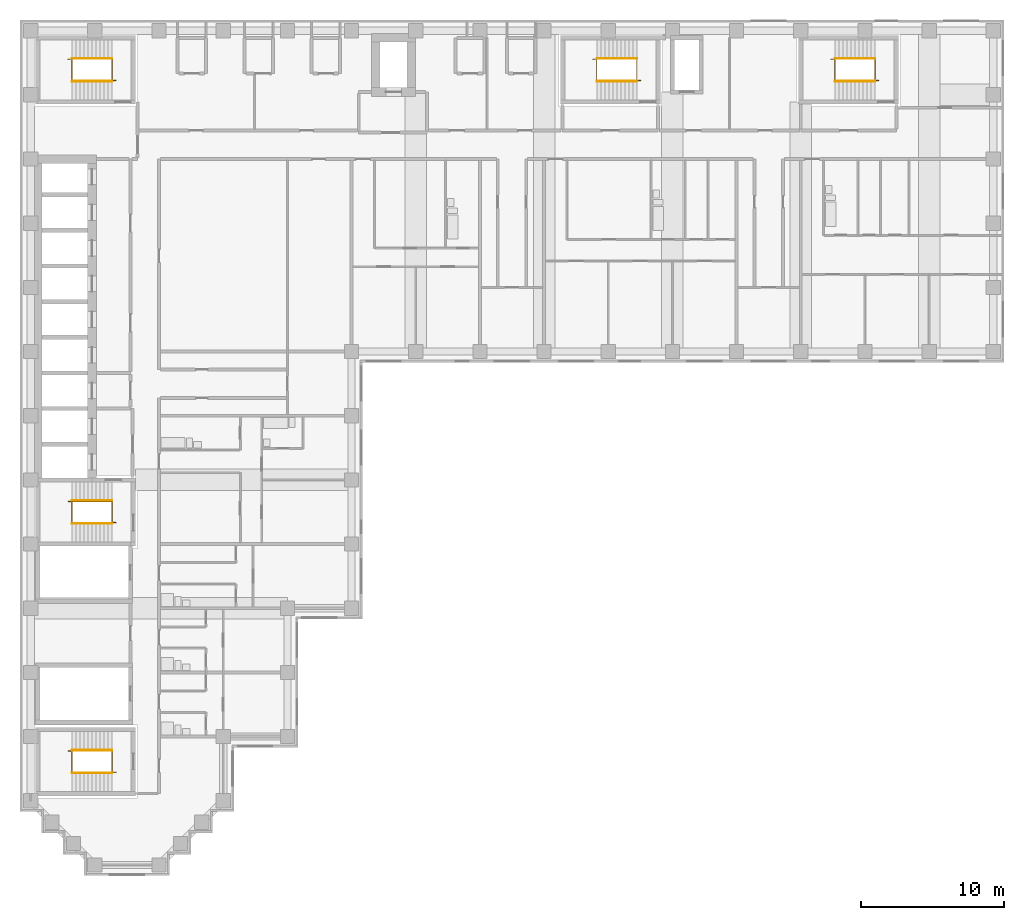
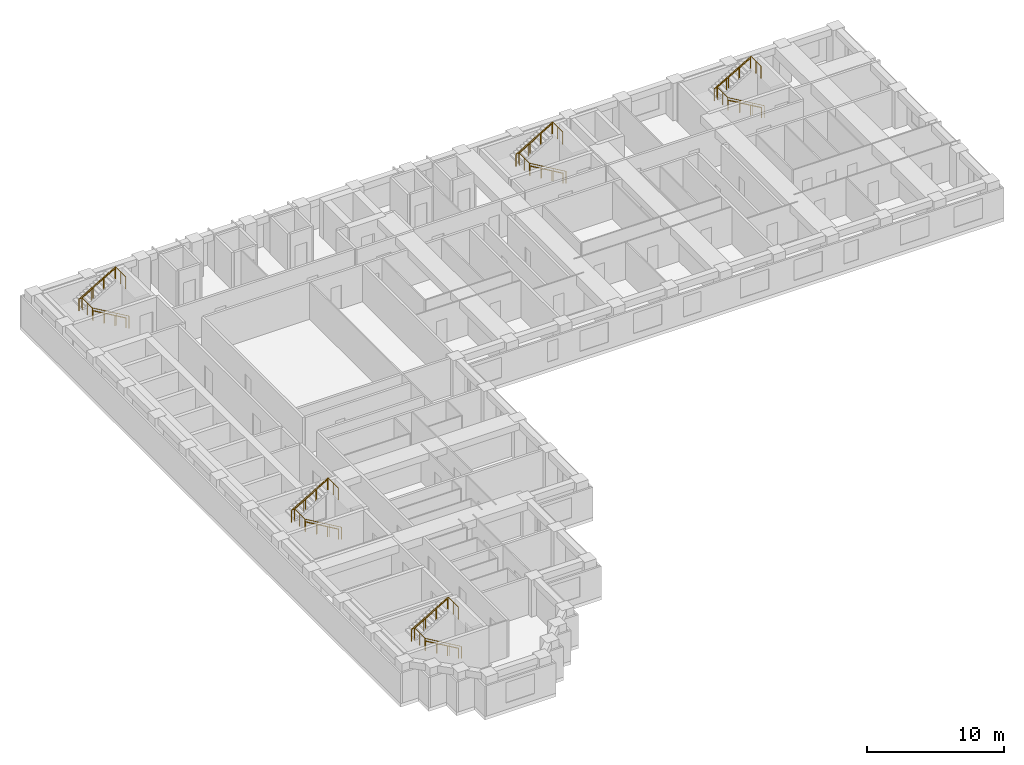
# One storey, part 11 of 12: 15 railings.
"""IFC4 building model written with IfcOpenShell, lengths in metres."""

from ifc_helpers import new_model, si_unit, direction, frame, origin, origin_2d, place, context, subcontext, project, spatial, circle, extrude, material, type_object, element, save


model = new_model("IFC4")

# Units and contexts
model_context = context("Model", 3, precision=1e-05, world=origin(), true_north=direction((0.0, 1.0)))
body_context = subcontext(model_context, "Body", "Model", "MODEL_VIEW")
ifc_project = project(units=[si_unit("LENGTHUNIT", "METRE"), si_unit("AREAUNIT", "SQUARE_METRE"), si_unit("VOLUMEUNIT", "CUBIC_METRE"), si_unit("PLANEANGLEUNIT", "RADIAN"), si_unit("MASSUNIT", "GRAM", prefix="KILO")], contexts=[model_context])

# Site, building, storey
site_placement = place(None, origin())
site = spatial("IfcSite", under=ifc_project, at=site_placement, CompositionType="ELEMENT")
building_placement = place(site_placement, origin())
building = spatial("IfcBuilding", under=site, at=building_placement, Name="Firuza Court", CompositionType="ELEMENT")
storey_placement = place(building_placement, frame((0.0, 0.0, 148.39990234375)))
storey = spatial("IfcBuildingStorey", under=building, at=storey_placement, Name="L37", CompositionType="ELEMENT", Elevation=148.39990234375)

# Railings
ifc_material_1 = material(Name="Steel S355", Category="steel")
railing_type_1 = type_object("IfcRailingType", Name="Handrail 900", PredefinedType="HANDRAIL", material=ifc_material_1)
railing_1_placement = place(storey_placement, frame((42.5, 54.949951171875, 0.163818359375)))
element("IfcRailing", 1, at=railing_1_placement, inside=storey, type_object=railing_type_1, Name="Handrail S1 flight 1", PredefinedType="HANDRAIL", context=body_context, shape_type="SweptSolid", body=[
    extrude(circle(Radius=0.02490234375, at=origin_2d()), frame((0.0, 0.0, 0.875), z_axis=(-0.863393664356, 0.0, 0.504530851732), x_axis=(0.0, -1.0, 0.0)), (0.0, 0.0, 1.0), 3.2431640625),
    extrude(circle(Radius=0.02001953125, at=origin_2d()), origin(), (0.0, 0.0, 1.0), 0.849853515625),
    extrude(circle(Radius=0.02001953125, at=origin_2d()), frame((-0.933349609375, 0.0, 0.54541015625)), (0.0, 0.0, 1.0), 0.849853515625),
    extrude(circle(Radius=0.02001953125, at=origin_2d()), frame((-1.86669921875, 0.0, 1.0908203125)), (0.0, 0.0, 1.0), 0.849853515625),
    extrude(circle(Radius=0.02001953125, at=origin_2d()), frame((-2.800048828125, 0.0, 1.63623046875)), (0.0, 0.0, 1.0), 0.849853515625),
])
railing_2_placement = place(storey_placement, frame((39.699951171875, 56.550048828125, 1.963623046875)))
element("IfcRailing", 2, at=railing_2_placement, inside=storey, type_object=railing_type_1, Name="Handrail S1 flight 2", PredefinedType="HANDRAIL", context=body_context, shape_type="SweptSolid", body=[
    extrude(circle(Radius=0.02490234375, at=origin_2d()), frame((0.0, 0.0, 0.875), z_axis=(0.863360870873, 0.0, 0.504586966384), x_axis=(0.0, 1.0, 0.0)), (0.0, 0.0, 1.0), 3.2431640625),
    extrude(circle(Radius=0.02001953125, at=origin_2d()), origin(), (0.0, 0.0, 1.0), 0.849853515625),
    extrude(circle(Radius=0.02001953125, at=origin_2d()), frame((0.933349609375, 0.0, 0.54541015625)), (0.0, 0.0, 1.0), 0.849853515625),
    extrude(circle(Radius=0.02001953125, at=origin_2d()), frame((1.86669921875, 0.0, 1.091064453125)), (0.0, 0.0, 1.0), 0.849853515625),
    extrude(circle(Radius=0.02001953125, at=origin_2d()), frame((2.800048828125, 0.0, 1.636474609375)), (0.0, 0.0, 1.0), 0.849853515625),
])
railing_3_placement = place(storey_placement, frame((5.699951171875, 23.949951171875, 0.163818359375)))
element("IfcRailing", 3, at=railing_3_placement, inside=storey, type_object=railing_type_1, Name="Handrail S2 flight 1", PredefinedType="HANDRAIL", context=body_context, shape_type="SweptSolid", body=[
    extrude(circle(Radius=0.02490234375, at=origin_2d()), frame((0.0, 0.0, 0.875), z_axis=(-0.863393664356, 0.0, 0.504530851732), x_axis=(0.0, -1.0, 0.0)), (0.0, 0.0, 1.0), 3.2431640625),
    extrude(circle(Radius=0.02001953125, at=origin_2d()), origin(), (0.0, 0.0, 1.0), 0.849853515625),
    extrude(circle(Radius=0.02001953125, at=origin_2d()), frame((-0.933349609375, 0.0, 0.54541015625)), (0.0, 0.0, 1.0), 0.849853515625),
    extrude(circle(Radius=0.02001953125, at=origin_2d()), frame((-1.86669921875, 0.0, 1.0908203125)), (0.0, 0.0, 1.0), 0.849853515625),
    extrude(circle(Radius=0.02001953125, at=origin_2d()), frame((-2.800048828125, 0.0, 1.63623046875)), (0.0, 0.0, 1.0), 0.849853515625),
])
railing_4_placement = place(storey_placement, frame((2.89990234375, 25.550048828125, 1.963623046875)))
element("IfcRailing", 4, at=railing_4_placement, inside=storey, type_object=railing_type_1, Name="Handrail S2 flight 2", PredefinedType="HANDRAIL", context=body_context, shape_type="SweptSolid", body=[
    extrude(circle(Radius=0.02490234375, at=origin_2d()), frame((0.0, 0.0, 0.875), z_axis=(0.863360870873, 0.0, 0.504586966384), x_axis=(0.0, 1.0, 0.0)), (0.0, 0.0, 1.0), 3.2431640625),
    extrude(circle(Radius=0.02001953125, at=origin_2d()), origin(), (0.0, 0.0, 1.0), 0.849853515625),
    extrude(circle(Radius=0.02001953125, at=origin_2d()), frame((0.933349609375, 0.0, 0.54541015625)), (0.0, 0.0, 1.0), 0.849853515625),
    extrude(circle(Radius=0.02001953125, at=origin_2d()), frame((1.86669921875, 0.0, 1.091064453125)), (0.0, 0.0, 1.0), 0.849853515625),
    extrude(circle(Radius=0.02001953125, at=origin_2d()), frame((2.800048828125, 0.0, 1.636474609375)), (0.0, 0.0, 1.0), 0.849853515625),
])
railing_5_placement = place(storey_placement, frame((5.699951171875, 54.949951171875, 0.163818359375)))
element("IfcRailing", 5, at=railing_5_placement, inside=storey, type_object=railing_type_1, Name="Handrail S3 flight 1", PredefinedType="HANDRAIL", context=body_context, shape_type="SweptSolid", body=[
    extrude(circle(Radius=0.02490234375, at=origin_2d()), frame((0.0, 0.0, 0.875), z_axis=(-0.863393664356, 0.0, 0.504530851732), x_axis=(0.0, -1.0, 0.0)), (0.0, 0.0, 1.0), 3.2431640625),
    extrude(circle(Radius=0.02001953125, at=origin_2d()), origin(), (0.0, 0.0, 1.0), 0.849853515625),
    extrude(circle(Radius=0.02001953125, at=origin_2d()), frame((-0.933349609375, 0.0, 0.54541015625)), (0.0, 0.0, 1.0), 0.849853515625),
    extrude(circle(Radius=0.02001953125, at=origin_2d()), frame((-1.86669921875, 0.0, 1.0908203125)), (0.0, 0.0, 1.0), 0.849853515625),
    extrude(circle(Radius=0.02001953125, at=origin_2d()), frame((-2.800048828125, 0.0, 1.63623046875)), (0.0, 0.0, 1.0), 0.849853515625),
])
railing_6_placement = place(storey_placement, frame((2.89990234375, 56.550048828125, 1.963623046875)))
element("IfcRailing", 6, at=railing_6_placement, inside=storey, type_object=railing_type_1, Name="Handrail S3 flight 2", PredefinedType="HANDRAIL", context=body_context, shape_type="SweptSolid", body=[
    extrude(circle(Radius=0.02490234375, at=origin_2d()), frame((0.0, 0.0, 0.875), z_axis=(0.863360870873, 0.0, 0.504586966384), x_axis=(0.0, 1.0, 0.0)), (0.0, 0.0, 1.0), 3.2431640625),
    extrude(circle(Radius=0.02001953125, at=origin_2d()), origin(), (0.0, 0.0, 1.0), 0.849853515625),
    extrude(circle(Radius=0.02001953125, at=origin_2d()), frame((0.933349609375, 0.0, 0.54541015625)), (0.0, 0.0, 1.0), 0.849853515625),
    extrude(circle(Radius=0.02001953125, at=origin_2d()), frame((1.86669921875, 0.0, 1.091064453125)), (0.0, 0.0, 1.0), 0.849853515625),
    extrude(circle(Radius=0.02001953125, at=origin_2d()), frame((2.800048828125, 0.0, 1.636474609375)), (0.0, 0.0, 1.0), 0.849853515625),
])
railing_7_placement = place(storey_placement, frame((59.199951171875, 54.949951171875, 0.163818359375)))
element("IfcRailing", 7, at=railing_7_placement, inside=storey, type_object=railing_type_1, Name="Handrail S4 flight 1", PredefinedType="HANDRAIL", context=body_context, shape_type="SweptSolid", body=[
    extrude(circle(Radius=0.02490234375, at=origin_2d()), frame((0.0, 0.0, 0.875), z_axis=(-0.863393664356, 0.0, 0.504530851732), x_axis=(0.0, -1.0, 0.0)), (0.0, 0.0, 1.0), 3.2431640625),
    extrude(circle(Radius=0.02001953125, at=origin_2d()), origin(), (0.0, 0.0, 1.0), 0.849853515625),
    extrude(circle(Radius=0.02001953125, at=origin_2d()), frame((-0.933349609375, 0.0, 0.54541015625)), (0.0, 0.0, 1.0), 0.849853515625),
    extrude(circle(Radius=0.02001953125, at=origin_2d()), frame((-1.86669921875, 0.0, 1.0908203125)), (0.0, 0.0, 1.0), 0.849853515625),
    extrude(circle(Radius=0.02001953125, at=origin_2d()), frame((-2.800048828125, 0.0, 1.63623046875)), (0.0, 0.0, 1.0), 0.849853515625),
])
railing_8_placement = place(storey_placement, frame((56.39990234375, 56.550048828125, 1.963623046875)))
element("IfcRailing", 8, at=railing_8_placement, inside=storey, type_object=railing_type_1, Name="Handrail S4 flight 2", PredefinedType="HANDRAIL", context=body_context, shape_type="SweptSolid", body=[
    extrude(circle(Radius=0.02490234375, at=origin_2d()), frame((0.0, 0.0, 0.875), z_axis=(0.863360870873, 0.0, 0.504586966384), x_axis=(0.0, 1.0, 0.0)), (0.0, 0.0, 1.0), 3.2431640625),
    extrude(circle(Radius=0.02001953125, at=origin_2d()), origin(), (0.0, 0.0, 1.0), 0.849853515625),
    extrude(circle(Radius=0.02001953125, at=origin_2d()), frame((0.933349609375, 0.0, 0.54541015625)), (0.0, 0.0, 1.0), 0.849853515625),
    extrude(circle(Radius=0.02001953125, at=origin_2d()), frame((1.86669921875, 0.0, 1.091064453125)), (0.0, 0.0, 1.0), 0.849853515625),
    extrude(circle(Radius=0.02001953125, at=origin_2d()), frame((2.800048828125, 0.0, 1.636474609375)), (0.0, 0.0, 1.0), 0.849853515625),
])
railing_9_placement = place(storey_placement, frame((5.699951171875, 6.449951171875, 0.163818359375)))
element("IfcRailing", 9, at=railing_9_placement, inside=storey, type_object=railing_type_1, Name="Handrail S5 flight 1", PredefinedType="HANDRAIL", context=body_context, shape_type="SweptSolid", body=[
    extrude(circle(Radius=0.02490234375, at=origin_2d()), frame((0.0, 0.0, 0.875), z_axis=(-0.863393664356, 0.0, 0.504530851732), x_axis=(0.0, -1.0, 0.0)), (0.0, 0.0, 1.0), 3.2431640625),
    extrude(circle(Radius=0.02001953125, at=origin_2d()), origin(), (0.0, 0.0, 1.0), 0.849853515625),
    extrude(circle(Radius=0.02001953125, at=origin_2d()), frame((-0.933349609375, 0.0, 0.54541015625)), (0.0, 0.0, 1.0), 0.849853515625),
    extrude(circle(Radius=0.02001953125, at=origin_2d()), frame((-1.86669921875, 0.0, 1.0908203125)), (0.0, 0.0, 1.0), 0.849853515625),
    extrude(circle(Radius=0.02001953125, at=origin_2d()), frame((-2.800048828125, 0.0, 1.63623046875)), (0.0, 0.0, 1.0), 0.849853515625),
])
railing_10_placement = place(storey_placement, frame((2.89990234375, 8.050048828125, 1.963623046875)))
element("IfcRailing", 10, at=railing_10_placement, inside=storey, type_object=railing_type_1, Name="Handrail S5 flight 2", PredefinedType="HANDRAIL", context=body_context, shape_type="SweptSolid", body=[
    extrude(circle(Radius=0.02490234375, at=origin_2d()), frame((0.0, 0.0, 0.875), z_axis=(0.863360870873, 0.0, 0.504586966384), x_axis=(0.0, 1.0, 0.0)), (0.0, 0.0, 1.0), 3.2431640625),
    extrude(circle(Radius=0.02001953125, at=origin_2d()), origin(), (0.0, 0.0, 1.0), 0.849853515625),
    extrude(circle(Radius=0.02001953125, at=origin_2d()), frame((0.933349609375, 0.0, 0.54541015625)), (0.0, 0.0, 1.0), 0.849853515625),
    extrude(circle(Radius=0.02001953125, at=origin_2d()), frame((1.86669921875, 0.0, 1.091064453125)), (0.0, 0.0, 1.0), 0.849853515625),
    extrude(circle(Radius=0.02001953125, at=origin_2d()), frame((2.800048828125, 0.0, 1.636474609375)), (0.0, 0.0, 1.0), 0.849853515625),
])
ifc_material_2 = material(Name="Steel S355", Category="steel")
railing_type_2 = type_object("IfcRailingType", Name="Stair guard 1100", PredefinedType="GUARDRAIL", material=ifc_material_2)
railing_11_placement = place(storey_placement, frame((42.780029296875, 55.010009765625, 0.0)))
element("IfcRailing", 11, at=railing_11_placement, inside=storey, type_object=railing_type_2, Name="Stair well guard S1", PredefinedType="GUARDRAIL", context=body_context, shape_type="SweptSolid", body=[
    extrude(circle(Radius=0.02490234375, at=origin_2d()), frame((0.0, 0.0, 1.0751953125), z_axis=(-0.863371556955, 0.0, 0.504568681787), x_axis=(0.0, -1.0, 0.0)), (0.0, 0.0, 1.0), 3.5673828125),
    extrude(circle(Radius=0.02490234375, at=origin_2d()), frame((-3.080078125, 0.0, 2.875), z_axis=(0.0, 1.0, 0.0), x_axis=(-1.0, 0.0, 0.0)), (0.0, 0.0, 1.0), 1.47998046875),
    extrude(circle(Radius=0.02490234375, at=origin_2d()), frame((-3.080078125, 1.47998046875, 2.875), z_axis=(-1.0, 0.0, 0.0), x_axis=(0.0, -1.0, 0.0)), (0.0, 0.0, 1.0), 0.280029296875),
    extrude(circle(Radius=0.02490234375, at=origin_2d()), frame((-3.360107421875, 1.47998046875, 2.875), z_axis=(0.863371556955, 0.0, 0.504568681787), x_axis=(0.0, 1.0, 0.0)), (0.0, 0.0, 1.0), 3.5673828125),
    extrude(circle(Radius=0.02490234375, at=origin_2d()), frame((-0.280029296875, 1.47998046875, 4.67529296875), z_axis=(0.0, -1.0, 0.0), x_axis=(1.0, 0.0, 0.0)), (0.0, 0.0, 1.0), 1.47998046875),
    extrude(circle(Radius=0.02490234375, at=origin_2d()), origin(), (0.0, 0.0, 1.0), 1.050048828125),
    extrude(circle(Radius=0.02490234375, at=origin_2d()), frame((-1.026611328125, 0.0, 0.60009765625)), (0.0, 0.0, 1.0), 1.050048828125),
    extrude(circle(Radius=0.02490234375, at=origin_2d()), frame((-2.053466796875, 0.0, 1.199951171875)), (0.0, 0.0, 1.0), 1.050048828125),
    extrude(circle(Radius=0.02490234375, at=origin_2d()), frame((-3.080078125, 0.0, 1.800048828125)), (0.0, 0.0, 1.0), 1.050048828125),
    extrude(circle(Radius=0.02490234375, at=origin_2d()), frame((-3.080078125, 0.739990234375, 1.800048828125)), (0.0, 0.0, 1.0), 1.050048828125),
    extrude(circle(Radius=0.02490234375, at=origin_2d()), frame((-3.080078125, 1.47998046875, 1.800048828125)), (0.0, 0.0, 1.0), 1.050048828125),
    extrude(circle(Radius=0.02490234375, at=origin_2d()), frame((-3.360107421875, 1.47998046875, 1.800048828125)), (0.0, 0.0, 1.0), 1.050048828125),
    extrude(circle(Radius=0.02490234375, at=origin_2d()), frame((-2.33349609375, 1.47998046875, 2.400146484375)), (0.0, 0.0, 1.0), 1.050048828125),
    extrude(circle(Radius=0.02490234375, at=origin_2d()), frame((-1.306640625, 1.47998046875, 3.0)), (0.0, 0.0, 1.0), 1.050048828125),
    extrude(circle(Radius=0.02490234375, at=origin_2d()), frame((-0.280029296875, 1.47998046875, 3.60009765625)), (0.0, 0.0, 1.0), 1.050048828125),
    extrude(circle(Radius=0.02490234375, at=origin_2d()), frame((-0.280029296875, 0.739990234375, 3.60009765625)), (0.0, 0.0, 1.0), 1.050048828125),
    extrude(circle(Radius=0.02490234375, at=origin_2d()), frame((-0.280029296875, 0.0, 3.60009765625)), (0.0, 0.0, 1.0), 1.050048828125),
])
railing_12_placement = place(storey_placement, frame((5.97998046875, 24.010009765625, 0.0)))
element("IfcRailing", 12, at=railing_12_placement, inside=storey, type_object=railing_type_2, Name="Stair well guard S2", PredefinedType="GUARDRAIL", context=body_context, shape_type="SweptSolid", body=[
    extrude(circle(Radius=0.02490234375, at=origin_2d()), frame((0.0, 0.0, 1.0751953125), z_axis=(-0.863371556955, 0.0, 0.504568681787), x_axis=(0.0, -1.0, 0.0)), (0.0, 0.0, 1.0), 3.5673828125),
    extrude(circle(Radius=0.02490234375, at=origin_2d()), frame((-3.080078125, 0.0, 2.875), z_axis=(0.0, 1.0, 0.0), x_axis=(-1.0, 0.0, 0.0)), (0.0, 0.0, 1.0), 1.47998046875),
    extrude(circle(Radius=0.02490234375, at=origin_2d()), frame((-3.080078125, 1.47998046875, 2.875), z_axis=(-1.0, 0.0, 0.0), x_axis=(0.0, -1.0, 0.0)), (0.0, 0.0, 1.0), 0.27978515625),
    extrude(circle(Radius=0.02490234375, at=origin_2d()), frame((-3.35986328125, 1.47998046875, 2.875), z_axis=(0.863354132664, 0.0, 0.504598495452), x_axis=(0.0, 1.0, 0.0)), (0.0, 0.0, 1.0), 3.5673828125),
    extrude(circle(Radius=0.02490234375, at=origin_2d()), frame((-0.280029296875, 1.47998046875, 4.67529296875), z_axis=(0.0, -1.0, 0.0), x_axis=(1.0, 0.0, 0.0)), (0.0, 0.0, 1.0), 1.47998046875),
    extrude(circle(Radius=0.02490234375, at=origin_2d()), origin(), (0.0, 0.0, 1.0), 1.050048828125),
    extrude(circle(Radius=0.02490234375, at=origin_2d()), frame((-1.026611328125, 0.0, 0.60009765625)), (0.0, 0.0, 1.0), 1.050048828125),
    extrude(circle(Radius=0.02490234375, at=origin_2d()), frame((-2.053466796875, 0.0, 1.199951171875)), (0.0, 0.0, 1.0), 1.050048828125),
    extrude(circle(Radius=0.02490234375, at=origin_2d()), frame((-3.080078125, 0.0, 1.800048828125)), (0.0, 0.0, 1.0), 1.050048828125),
    extrude(circle(Radius=0.02490234375, at=origin_2d()), frame((-3.080078125, 0.739990234375, 1.800048828125)), (0.0, 0.0, 1.0), 1.050048828125),
    extrude(circle(Radius=0.02490234375, at=origin_2d()), frame((-3.080078125, 1.47998046875, 1.800048828125)), (0.0, 0.0, 1.0), 1.050048828125),
    extrude(circle(Radius=0.02490234375, at=origin_2d()), frame((-3.35986328125, 1.47998046875, 1.800048828125)), (0.0, 0.0, 1.0), 1.050048828125),
    extrude(circle(Radius=0.02490234375, at=origin_2d()), frame((-2.333251953125, 1.47998046875, 2.400146484375)), (0.0, 0.0, 1.0), 1.050048828125),
    extrude(circle(Radius=0.02490234375, at=origin_2d()), frame((-1.306640625, 1.47998046875, 3.0)), (0.0, 0.0, 1.0), 1.050048828125),
    extrude(circle(Radius=0.02490234375, at=origin_2d()), frame((-0.280029296875, 1.47998046875, 3.60009765625)), (0.0, 0.0, 1.0), 1.050048828125),
    extrude(circle(Radius=0.02490234375, at=origin_2d()), frame((-0.280029296875, 0.739990234375, 3.60009765625)), (0.0, 0.0, 1.0), 1.050048828125),
    extrude(circle(Radius=0.02490234375, at=origin_2d()), frame((-0.280029296875, 0.0, 3.60009765625)), (0.0, 0.0, 1.0), 1.050048828125),
])
railing_13_placement = place(storey_placement, frame((5.97998046875, 55.010009765625, 0.0)))
element("IfcRailing", 13, at=railing_13_placement, inside=storey, type_object=railing_type_2, Name="Stair well guard S3", PredefinedType="GUARDRAIL", context=body_context, shape_type="SweptSolid", body=[
    extrude(circle(Radius=0.02490234375, at=origin_2d()), frame((0.0, 0.0, 1.0751953125), z_axis=(-0.863371556955, 0.0, 0.504568681787), x_axis=(0.0, -1.0, 0.0)), (0.0, 0.0, 1.0), 3.5673828125),
    extrude(circle(Radius=0.02490234375, at=origin_2d()), frame((-3.080078125, 0.0, 2.875), z_axis=(0.0, 1.0, 0.0), x_axis=(-1.0, 0.0, 0.0)), (0.0, 0.0, 1.0), 1.47998046875),
    extrude(circle(Radius=0.02490234375, at=origin_2d()), frame((-3.080078125, 1.47998046875, 2.875), z_axis=(-1.0, 0.0, 0.0), x_axis=(0.0, -1.0, 0.0)), (0.0, 0.0, 1.0), 0.27978515625),
    extrude(circle(Radius=0.02490234375, at=origin_2d()), frame((-3.35986328125, 1.47998046875, 2.875), z_axis=(0.863354132664, 0.0, 0.504598495452), x_axis=(0.0, 1.0, 0.0)), (0.0, 0.0, 1.0), 3.5673828125),
    extrude(circle(Radius=0.02490234375, at=origin_2d()), frame((-0.280029296875, 1.47998046875, 4.67529296875), z_axis=(0.0, -1.0, 0.0), x_axis=(1.0, 0.0, 0.0)), (0.0, 0.0, 1.0), 1.47998046875),
    extrude(circle(Radius=0.02490234375, at=origin_2d()), origin(), (0.0, 0.0, 1.0), 1.050048828125),
    extrude(circle(Radius=0.02490234375, at=origin_2d()), frame((-1.026611328125, 0.0, 0.60009765625)), (0.0, 0.0, 1.0), 1.050048828125),
    extrude(circle(Radius=0.02490234375, at=origin_2d()), frame((-2.053466796875, 0.0, 1.199951171875)), (0.0, 0.0, 1.0), 1.050048828125),
    extrude(circle(Radius=0.02490234375, at=origin_2d()), frame((-3.080078125, 0.0, 1.800048828125)), (0.0, 0.0, 1.0), 1.050048828125),
    extrude(circle(Radius=0.02490234375, at=origin_2d()), frame((-3.080078125, 0.739990234375, 1.800048828125)), (0.0, 0.0, 1.0), 1.050048828125),
    extrude(circle(Radius=0.02490234375, at=origin_2d()), frame((-3.080078125, 1.47998046875, 1.800048828125)), (0.0, 0.0, 1.0), 1.050048828125),
    extrude(circle(Radius=0.02490234375, at=origin_2d()), frame((-3.35986328125, 1.47998046875, 1.800048828125)), (0.0, 0.0, 1.0), 1.050048828125),
    extrude(circle(Radius=0.02490234375, at=origin_2d()), frame((-2.333251953125, 1.47998046875, 2.400146484375)), (0.0, 0.0, 1.0), 1.050048828125),
    extrude(circle(Radius=0.02490234375, at=origin_2d()), frame((-1.306640625, 1.47998046875, 3.0)), (0.0, 0.0, 1.0), 1.050048828125),
    extrude(circle(Radius=0.02490234375, at=origin_2d()), frame((-0.280029296875, 1.47998046875, 3.60009765625)), (0.0, 0.0, 1.0), 1.050048828125),
    extrude(circle(Radius=0.02490234375, at=origin_2d()), frame((-0.280029296875, 0.739990234375, 3.60009765625)), (0.0, 0.0, 1.0), 1.050048828125),
    extrude(circle(Radius=0.02490234375, at=origin_2d()), frame((-0.280029296875, 0.0, 3.60009765625)), (0.0, 0.0, 1.0), 1.050048828125),
])
railing_14_placement = place(storey_placement, frame((59.47998046875, 55.010009765625, 0.0)))
element("IfcRailing", 14, at=railing_14_placement, inside=storey, type_object=railing_type_2, Name="Stair well guard S4", PredefinedType="GUARDRAIL", context=body_context, shape_type="SweptSolid", body=[
    extrude(circle(Radius=0.02490234375, at=origin_2d()), frame((0.0, 0.0, 1.0751953125), z_axis=(-0.863371556955, 0.0, 0.504568681787), x_axis=(0.0, -1.0, 0.0)), (0.0, 0.0, 1.0), 3.5673828125),
    extrude(circle(Radius=0.02490234375, at=origin_2d()), frame((-3.080078125, 0.0, 2.875), z_axis=(0.0, 1.0, 0.0), x_axis=(-1.0, 0.0, 0.0)), (0.0, 0.0, 1.0), 1.47998046875),
    extrude(circle(Radius=0.02490234375, at=origin_2d()), frame((-3.080078125, 1.47998046875, 2.875), z_axis=(-1.0, 0.0, 0.0), x_axis=(0.0, -1.0, 0.0)), (0.0, 0.0, 1.0), 0.27978515625),
    extrude(circle(Radius=0.02490234375, at=origin_2d()), frame((-3.35986328125, 1.47998046875, 2.875), z_axis=(0.863354132664, 0.0, 0.504598495452), x_axis=(0.0, 1.0, 0.0)), (0.0, 0.0, 1.0), 3.5673828125),
    extrude(circle(Radius=0.02490234375, at=origin_2d()), frame((-0.280029296875, 1.47998046875, 4.67529296875), z_axis=(0.0, -1.0, 0.0), x_axis=(1.0, 0.0, 0.0)), (0.0, 0.0, 1.0), 1.47998046875),
    extrude(circle(Radius=0.02490234375, at=origin_2d()), origin(), (0.0, 0.0, 1.0), 1.050048828125),
    extrude(circle(Radius=0.02490234375, at=origin_2d()), frame((-1.026611328125, 0.0, 0.60009765625)), (0.0, 0.0, 1.0), 1.050048828125),
    extrude(circle(Radius=0.02490234375, at=origin_2d()), frame((-2.053466796875, 0.0, 1.199951171875)), (0.0, 0.0, 1.0), 1.050048828125),
    extrude(circle(Radius=0.02490234375, at=origin_2d()), frame((-3.080078125, 0.0, 1.800048828125)), (0.0, 0.0, 1.0), 1.050048828125),
    extrude(circle(Radius=0.02490234375, at=origin_2d()), frame((-3.080078125, 0.739990234375, 1.800048828125)), (0.0, 0.0, 1.0), 1.050048828125),
    extrude(circle(Radius=0.02490234375, at=origin_2d()), frame((-3.080078125, 1.47998046875, 1.800048828125)), (0.0, 0.0, 1.0), 1.050048828125),
    extrude(circle(Radius=0.02490234375, at=origin_2d()), frame((-3.35986328125, 1.47998046875, 1.800048828125)), (0.0, 0.0, 1.0), 1.050048828125),
    extrude(circle(Radius=0.02490234375, at=origin_2d()), frame((-2.333251953125, 1.47998046875, 2.400146484375)), (0.0, 0.0, 1.0), 1.050048828125),
    extrude(circle(Radius=0.02490234375, at=origin_2d()), frame((-1.306640625, 1.47998046875, 3.0)), (0.0, 0.0, 1.0), 1.050048828125),
    extrude(circle(Radius=0.02490234375, at=origin_2d()), frame((-0.280029296875, 1.47998046875, 3.60009765625)), (0.0, 0.0, 1.0), 1.050048828125),
    extrude(circle(Radius=0.02490234375, at=origin_2d()), frame((-0.280029296875, 0.739990234375, 3.60009765625)), (0.0, 0.0, 1.0), 1.050048828125),
    extrude(circle(Radius=0.02490234375, at=origin_2d()), frame((-0.280029296875, 0.0, 3.60009765625)), (0.0, 0.0, 1.0), 1.050048828125),
])
railing_15_placement = place(storey_placement, frame((5.97998046875, 6.510009765625, 0.0)))
element("IfcRailing", 15, at=railing_15_placement, inside=storey, type_object=railing_type_2, Name="Stair well guard S5", PredefinedType="GUARDRAIL", context=body_context, shape_type="SweptSolid", body=[
    extrude(circle(Radius=0.02490234375, at=origin_2d()), frame((0.0, 0.0, 1.0751953125), z_axis=(-0.863371556955, 0.0, 0.504568681787), x_axis=(0.0, -1.0, 0.0)), (0.0, 0.0, 1.0), 3.5673828125),
    extrude(circle(Radius=0.02490234375, at=origin_2d()), frame((-3.080078125, 0.0, 2.875), z_axis=(0.0, 1.0, 0.0), x_axis=(-1.0, 0.0, 0.0)), (0.0, 0.0, 1.0), 1.47998046875),
    extrude(circle(Radius=0.02490234375, at=origin_2d()), frame((-3.080078125, 1.47998046875, 2.875), z_axis=(-1.0, 0.0, 0.0), x_axis=(0.0, -1.0, 0.0)), (0.0, 0.0, 1.0), 0.27978515625),
    extrude(circle(Radius=0.02490234375, at=origin_2d()), frame((-3.35986328125, 1.47998046875, 2.875), z_axis=(0.863354132664, 0.0, 0.504598495452), x_axis=(0.0, 1.0, 0.0)), (0.0, 0.0, 1.0), 3.5673828125),
    extrude(circle(Radius=0.02490234375, at=origin_2d()), frame((-0.280029296875, 1.47998046875, 4.67529296875), z_axis=(0.0, -1.0, 0.0), x_axis=(1.0, 0.0, 0.0)), (0.0, 0.0, 1.0), 1.47998046875),
    extrude(circle(Radius=0.02490234375, at=origin_2d()), origin(), (0.0, 0.0, 1.0), 1.050048828125),
    extrude(circle(Radius=0.02490234375, at=origin_2d()), frame((-1.026611328125, 0.0, 0.60009765625)), (0.0, 0.0, 1.0), 1.050048828125),
    extrude(circle(Radius=0.02490234375, at=origin_2d()), frame((-2.053466796875, 0.0, 1.199951171875)), (0.0, 0.0, 1.0), 1.050048828125),
    extrude(circle(Radius=0.02490234375, at=origin_2d()), frame((-3.080078125, 0.0, 1.800048828125)), (0.0, 0.0, 1.0), 1.050048828125),
    extrude(circle(Radius=0.02490234375, at=origin_2d()), frame((-3.080078125, 0.739990234375, 1.800048828125)), (0.0, 0.0, 1.0), 1.050048828125),
    extrude(circle(Radius=0.02490234375, at=origin_2d()), frame((-3.080078125, 1.47998046875, 1.800048828125)), (0.0, 0.0, 1.0), 1.050048828125),
    extrude(circle(Radius=0.02490234375, at=origin_2d()), frame((-3.35986328125, 1.47998046875, 1.800048828125)), (0.0, 0.0, 1.0), 1.050048828125),
    extrude(circle(Radius=0.02490234375, at=origin_2d()), frame((-2.333251953125, 1.47998046875, 2.400146484375)), (0.0, 0.0, 1.0), 1.050048828125),
    extrude(circle(Radius=0.02490234375, at=origin_2d()), frame((-1.306640625, 1.47998046875, 3.0)), (0.0, 0.0, 1.0), 1.050048828125),
    extrude(circle(Radius=0.02490234375, at=origin_2d()), frame((-0.280029296875, 1.47998046875, 3.60009765625)), (0.0, 0.0, 1.0), 1.050048828125),
    extrude(circle(Radius=0.02490234375, at=origin_2d()), frame((-0.280029296875, 0.739990234375, 3.60009765625)), (0.0, 0.0, 1.0), 1.050048828125),
    extrude(circle(Radius=0.02490234375, at=origin_2d()), frame((-0.280029296875, 0.0, 3.60009765625)), (0.0, 0.0, 1.0), 1.050048828125),
])

save(model, "model.ifc")
